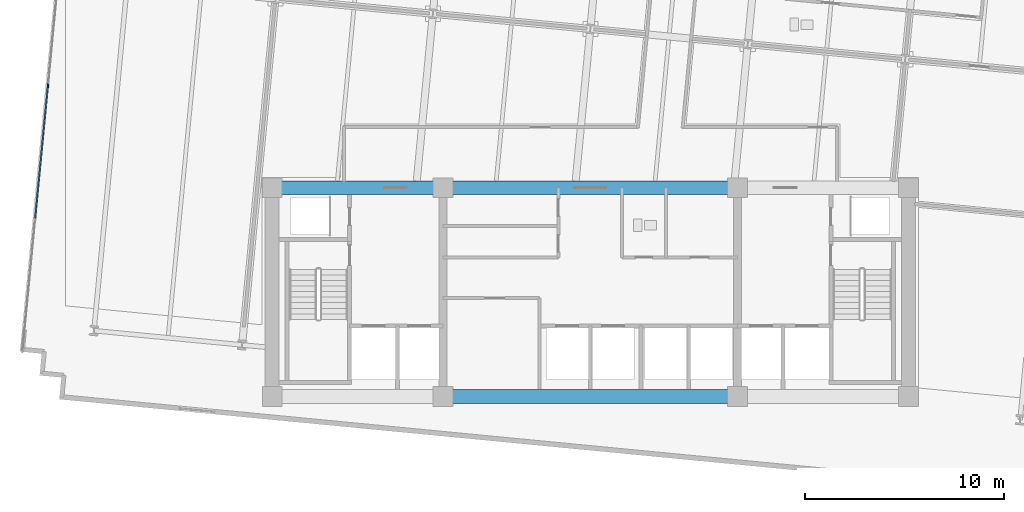
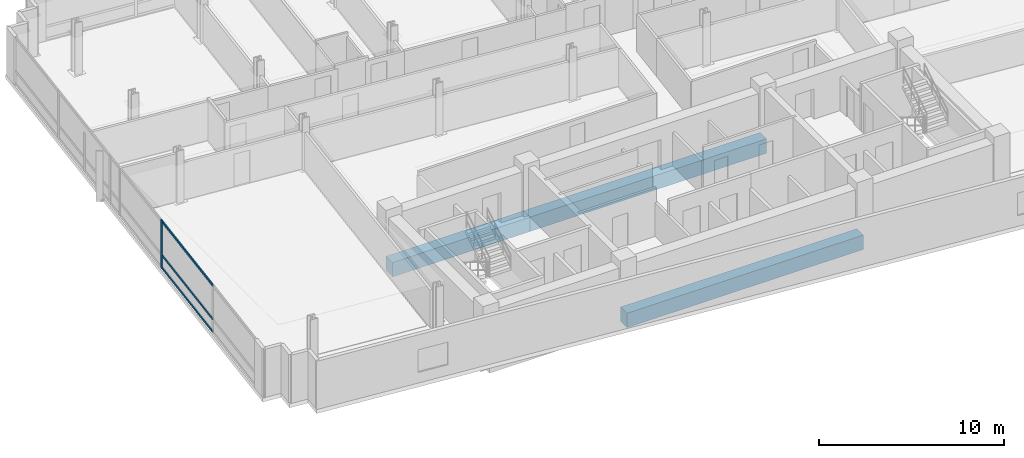
# One storey, part 3 of 17: 4 members, 3 beams, 1 element without a shape of its own.
"""IFC4 building model written with IfcOpenShell, lengths in metres."""

from ifc_helpers import new_model, si_unit, direction, frame, origin, origin_2d, place, context, subcontext, project, spatial, rectangle, extrude, material, material_profile, profile_set, type_object, element, aggregate, save


model = new_model("IFC4")

# Units and contexts
model_context = context("Model", 3, precision=1e-05, world=origin(), true_north=direction((0.0, 1.0)))
body_context = subcontext(model_context, "Body", "Model", "MODEL_VIEW")
ifc_project = project(units=[si_unit("LENGTHUNIT", "METRE"), si_unit("AREAUNIT", "SQUARE_METRE"), si_unit("VOLUMEUNIT", "CUBIC_METRE"), si_unit("PLANEANGLEUNIT", "RADIAN"), si_unit("MASSUNIT", "GRAM", prefix="KILO")], contexts=[model_context])

# Site, building, storey
site_placement = place(None, origin())
site = spatial("IfcSite", under=ifc_project, at=site_placement, CompositionType="ELEMENT")
building_placement = place(site_placement, origin())
building = spatial("IfcBuilding", under=site, at=building_placement, Name="Solmavex Isthmus Hotel", CompositionType="ELEMENT")
storey_placement = place(building_placement, frame((0.0, 0.0, 170.39990234375)))
storey = spatial("IfcBuildingStorey", under=building, at=storey_placement, Name="L46", CompositionType="ELEMENT", Elevation=170.39990234375)

# Beams
ifc_material_1 = material(Name="Concrete C60/75", Category="concrete")
ifc_material_profile_1 = material_profile(ifc_material_1, rectangle(XDim=0.699951171875, YDim=0.949951171875, at=origin_2d()), Name="RC700X950")
ifc_profile_set_1 = profile_set([ifc_material_profile_1], Name="Concrete C60/75")
beam_type = type_object("IfcBeamType", Name="BM-CB-700X950", PredefinedType="BEAM", material=ifc_profile_set_1)
beam_1_placement = place(storey_placement, frame((-7.39990234375, -13.0, -0.73486328125), z_axis=(1.0, 0.0, 0.0), x_axis=(0.0, 1.0, 0.0)))
element("IfcBeam", 1, at=beam_1_placement, inside=storey, type_object=beam_type, Name="Core Coupling Beam L46-CB2", PredefinedType="BEAM", context=body_context, shape_type="SweptSolid", body=[
    extrude(rectangle(XDim=0.699951171875, YDim=0.949951171875, at=origin_2d()), origin(), (0.0, 0.0, 1.0), 14.7998046875),
])
beam_2_placement = place(storey_placement, frame((-16.0, -2.5, -0.73486328125), z_axis=(1.0, 0.0, 0.0), x_axis=(0.0, 1.0, 0.0)))
element("IfcBeam", 2, at=beam_2_placement, inside=storey, type_object=beam_type, Name="Core Coupling Beam L46-CB4", PredefinedType="BEAM", context=body_context, shape_type="SweptSolid", body=[
    extrude(rectangle(XDim=0.699951171875, YDim=0.949951171875, at=origin_2d()), origin(), (0.0, 0.0, 1.0), 8.60009765625),
])
beam_3_placement = place(storey_placement, frame((-7.39990234375, -2.5, -0.73486328125), z_axis=(1.0, 0.0, 0.0), x_axis=(0.0, 1.0, 0.0)))
element("IfcBeam", 3, at=beam_3_placement, inside=storey, type_object=beam_type, Name="Core Coupling Beam L46-CB5", PredefinedType="BEAM", context=body_context, shape_type="SweptSolid", body=[
    extrude(rectangle(XDim=0.699951171875, YDim=0.949951171875, at=origin_2d()), origin(), (0.0, 0.0, 1.0), 14.7998046875),
])

# Curtain wall, members
ifc_material_2 = material(Name="Aluminium alloy 6063-T6", Category="aluminium")
curtain_wall_type = type_object("IfcCurtainWallType", Name="CW-SYS-03", PredefinedType="NOTDEFINED", material=ifc_material_2)
curtain_wall_placement = place(storey_placement, origin())
curtain_wall = element("IfcCurtainWall", 4, at=curtain_wall_placement, inside=storey, type_object=curtain_wall_type, Name="Stick Curtain Wall CWL-L46-W1", PredefinedType="NOTDEFINED")
ifc_material_profile_2 = material_profile(ifc_material_2, rectangle(XDim=0.070068359375, YDim=0.179931640625, at=origin_2d()), Name="CWM-70X180")
ifc_profile_set_2 = profile_set([ifc_material_profile_2], Name="Aluminium alloy 6063-T6")
member_type_1 = type_object("IfcMemberType", Name="CW-SYS-03-MUL", PredefinedType="MULLION", material=ifc_profile_set_2)
member_1_placement = place(storey_placement, frame((-27.2783203125, 2.6318359375, 0.0), z_axis=(0.0, 0.0, 1.0), x_axis=(-0.995396190038, 0.09584583902, 0.0)))
member_1 = element("IfcMember", 5, at=member_1_placement, type_object=member_type_1, Name="CW-03 mullion 3", PredefinedType="MULLION", context=body_context, shape_type="SweptSolid", body=[
    extrude(rectangle(XDim=0.070068359375, YDim=0.179931640625, at=origin_2d()), origin(), (0.0, 0.0, 1.0), 3.190185546875),
])
ifc_material_profile_3 = material_profile(ifc_material_2, rectangle(XDim=0.070068359375, YDim=0.139892578125, at=origin_2d()), Name="CWT-70X140")
ifc_profile_set_3 = profile_set([ifc_material_profile_3], Name="Aluminium alloy 6063-T6")
member_type_2 = type_object("IfcMemberType", Name="CW-SYS-03-TRN", PredefinedType="USERDEFINED", material=ifc_profile_set_3)
member_2_placement = place(storey_placement, frame((-27.9189453125, -4.0224609375, 0.070068359375), z_axis=(0.095820836451, 0.995398597197, 0.0), x_axis=(-0.995398597197, 0.095820836451, 0.0)))
member_2 = element("IfcMember", 6, at=member_2_placement, type_object=member_type_2, Name="CW-03 transom 2.1", ObjectType="TRANSOM", PredefinedType="USERDEFINED", context=body_context, shape_type="SweptSolid", body=[
    extrude(rectangle(XDim=0.070068359375, YDim=0.139892578125, at=origin_2d()), origin(), (0.0, 0.0, 1.0), 6.64990234375),
])
member_3_placement = place(storey_placement, frame((-27.9189453125, -4.0224609375, 0.900146484375), z_axis=(0.095820836451, 0.995398597197, 0.0), x_axis=(-0.995398597197, 0.095820836451, 0.0)))
member_3 = element("IfcMember", 7, at=member_3_placement, type_object=member_type_2, Name="CW-03 transom 2.2", ObjectType="TRANSOM", PredefinedType="USERDEFINED", context=body_context, shape_type="SweptSolid", body=[
    extrude(rectangle(XDim=0.070068359375, YDim=0.139892578125, at=origin_2d()), origin(), (0.0, 0.0, 1.0), 6.64990234375),
])
member_4_placement = place(storey_placement, frame((-27.9189453125, -4.0224609375, 3.1201171875), z_axis=(0.095820836451, 0.995398597197, 0.0), x_axis=(-0.995398597197, 0.095820836451, 0.0)))
member_4 = element("IfcMember", 8, at=member_4_placement, type_object=member_type_2, Name="CW-03 transom 2.3", ObjectType="TRANSOM", PredefinedType="USERDEFINED", context=body_context, shape_type="SweptSolid", body=[
    extrude(rectangle(XDim=0.070068359375, YDim=0.139892578125, at=origin_2d()), origin(), (0.0, 0.0, 1.0), 6.64990234375),
])
aggregate(curtain_wall, [member_1, member_2, member_3, member_4])

save(model, "model.ifc")
